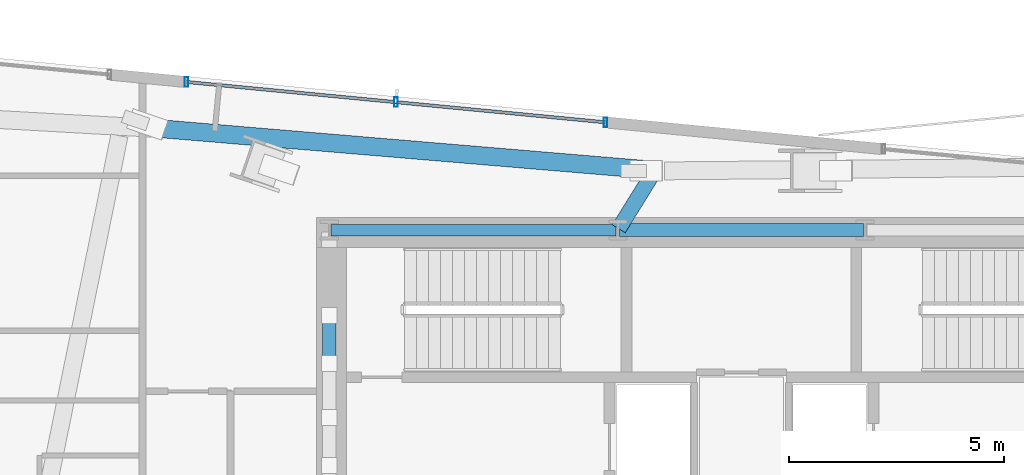
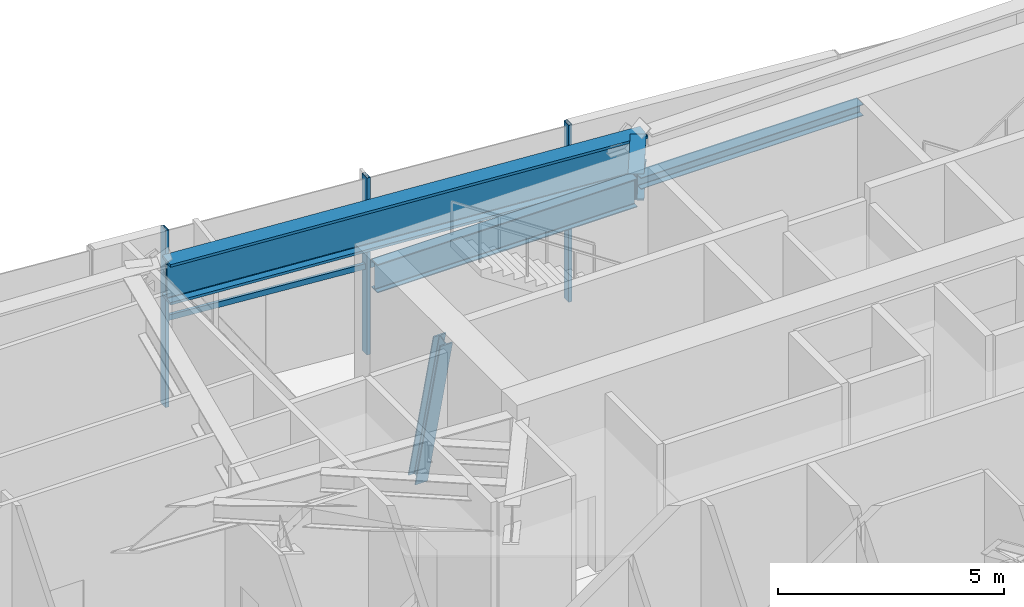
# One storey, part 8 of 23: 6 members, 4 beams, 1 element without a shape of its own.
"""IFC4 building model written with IfcOpenShell, lengths in metres."""

from ifc_helpers import new_model, si_unit, direction, frame, origin, origin_2d, place, context, subcontext, project, spatial, hollow_rectangle, i_section, extrude, source, transform, mapped, material, material_profile, profile_set, type_object, type_shapes, element, aggregate, save


model = new_model("IFC4")

# Units and contexts
model_context = context("Model", 3, precision=1e-05, world=origin(), true_north=direction((0.0, 1.0)))
body_context = subcontext(model_context, "Body", "Model", "MODEL_VIEW")
ifc_project = project(units=[si_unit("LENGTHUNIT", "METRE"), si_unit("AREAUNIT", "SQUARE_METRE"), si_unit("VOLUMEUNIT", "CUBIC_METRE"), si_unit("PLANEANGLEUNIT", "RADIAN"), si_unit("MASSUNIT", "GRAM", prefix="KILO")], contexts=[model_context])

# Site, building, storey
site_placement = place(None, origin())
site = spatial("IfcSite", under=ifc_project, at=site_placement, CompositionType="ELEMENT")
building_placement = place(site_placement, origin())
building = spatial("IfcBuilding", under=site, at=building_placement, Name="Astriad Promenade Condominiums", CompositionType="ELEMENT")
storey_placement = place(building_placement, frame((0.0, 0.0, 119.39990234375)))
storey = spatial("IfcBuildingStorey", under=building, at=storey_placement, Name="L34", CompositionType="ELEMENT", Elevation=119.39990234375)

# Beams
ifc_material_1 = material(Name="Steel ASTM A992 Grade 50", Category="steel")
ifc_material_profile_1 = material_profile(ifc_material_1, i_section(OverallWidth=0.267822265625, OverallDepth=0.76953125, WebThickness=0.015625, FlangeThickness=0.025390625, FilletRadius=0.021484375, at=origin_2d()), Name="W30X132")
ifc_profile_set_1 = profile_set([ifc_material_profile_1], Name="Steel ASTM A992 Grade 50")
beam_type_1 = type_object("IfcBeamType", Name="STEEL FLOOR GIRDER W30X132", PredefinedType="BEAM", material=ifc_profile_set_1)
shared_shape_1 = source(origin(), body_context, "Body", "SweptSolid", [
    extrude(i_section(OverallWidth=0.267822265625, OverallDepth=0.76953125, WebThickness=0.015625, FlangeThickness=0.025390625, FilletRadius=0.021484375, at=origin_2d()), origin(), (0.0, 0.0, 1.0), 6.64013671875),
])
type_shapes(beam_type_1, [shared_shape_1])
beam_1_placement = place(storey_placement, frame((26.43994140625, 24.0, 4.395263671875), z_axis=(1.0, 0.0, 0.0), x_axis=(0.0, 1.0, 0.0)))
element("IfcBeam", 1, at=beam_1_placement, inside=storey, type_object=beam_type_1, Name="Core Ring Beam CG-N1-L34", PredefinedType="BEAM", context=body_context, shape_type="MappedRepresentation", body=[
    mapped(shared_shape_1, transform((0.0, 0.0, 0.0), scale=1.0)),
])
ifc_material_profile_2 = material_profile(ifc_material_1, i_section(OverallWidth=0.3046875, OverallDepth=0.307861328125, WebThickness=0.010009765625, FlangeThickness=0.015380859375, FilletRadius=0.01513671875, at=origin_2d()), Name="W12X65")
ifc_profile_set_2 = profile_set([ifc_material_profile_2], Name="Steel ASTM A992 Grade 50")
beam_type_2 = type_object("IfcBeamType", Name="STEEL OPENING LINTEL W12X65", PredefinedType="LINTEL", material=ifc_profile_set_2)
shared_shape_2 = source(origin(), body_context, "Body", "SweptSolid", [
    extrude(i_section(OverallWidth=0.3046875, OverallDepth=0.307861328125, WebThickness=0.010009765625, FlangeThickness=0.015380859375, FilletRadius=0.01513671875, at=origin_2d()), origin(), (0.0, 0.0, 1.0), 5.68017578125),
])
type_shapes(beam_type_2, [shared_shape_2])
beam_2_placement = place(storey_placement, frame((33.159912109375, 24.0, 4.626220703125), z_axis=(1.0, 0.0, 0.0), x_axis=(0.0, 1.0, 0.0)))
element("IfcBeam", 2, at=beam_2_placement, inside=storey, type_object=beam_type_2, Name="Core Ring Beam CG-N2-L34", PredefinedType="LINTEL", context=body_context, shape_type="MappedRepresentation", body=[
    mapped(shared_shape_2, transform((0.0, 0.0, 0.0), scale=1.0)),
])
ifc_material_profile_3 = material_profile(ifc_material_1, i_section(OverallWidth=0.4169921875, OverallDepth=1.093505859375, WebThickness=0.0390625, FlangeThickness=0.070068359375, FilletRadius=0.025390625, at=origin_2d()), Name="W40X503")
ifc_profile_set_3 = profile_set([ifc_material_profile_3], Name="Steel ASTM A992 Grade 50")
beam_type_3 = type_object("IfcBeamType", Name="STEEL TRANSFER GIRDER W40X503", PredefinedType="BEAM", material=ifc_profile_set_3)
shared_shape_3 = source(origin(), body_context, "Body", "SweptSolid", [
    extrude(i_section(OverallWidth=0.4169921875, OverallDepth=1.093505859375, WebThickness=0.0390625, FlangeThickness=0.070068359375, FilletRadius=0.025390625, at=origin_2d()), origin(), (0.0, 0.0, 1.0), 11.6787109375),
])
type_shapes(beam_type_3, [shared_shape_3])
beam_3_placement = place(storey_placement, frame((34.127197265625, 25.383544921875, 4.2333984375), z_axis=(-0.996487268202, 0.083744398683, 0.0), x_axis=(-0.083744398683, -0.996487268202, 0.0)))
element("IfcBeam", 3, at=beam_3_placement, inside=storey, type_object=beam_type_3, Name="Perimeter Spandrel Beam SP-N2-L34", PredefinedType="BEAM", context=body_context, shape_type="MappedRepresentation", body=[
    mapped(shared_shape_3, transform((0.0, 0.0, 0.0), scale=1.0)),
])
ifc_material_profile_4 = material_profile(ifc_material_1, i_section(OverallWidth=0.35791015625, OverallDepth=0.706298828125, WebThickness=0.018310546875, FlangeThickness=0.0302734375, FilletRadius=0.020263671875, at=origin_2d()), Name="W27X178")
ifc_profile_set_4 = profile_set([ifc_material_profile_4], Name="Steel ASTM A992 Grade 50")
beam_type_4 = type_object("IfcBeamType", Name="STEEL FLOOR GIRDER W27X178", PredefinedType="BEAM", material=ifc_profile_set_4)
shared_shape_4 = source(origin(), body_context, "Body", "SweptSolid", [
    extrude(i_section(OverallWidth=0.35791015625, OverallDepth=0.706298828125, WebThickness=0.018310546875, FlangeThickness=0.0302734375, FilletRadius=0.020263671875, at=origin_2d()), origin(), (0.0, 0.0, 1.0), 1.5439453125),
])
type_shapes(beam_type_4, [shared_shape_4])
beam_4_placement = place(storey_placement, frame((33.95458984375, 25.34619140625, 4.427001953125), z_axis=(-0.526882557004, -0.849938098408, 0.0), x_axis=(0.849938098408, -0.526882557004, 0.0)))
element("IfcBeam", 4, at=beam_4_placement, inside=storey, type_object=beam_type_4, Name="Primary Floor Girder PG-NC-L34", PredefinedType="BEAM", context=body_context, shape_type="MappedRepresentation", body=[
    mapped(shared_shape_4, transform((0.0, 0.0, 0.0), scale=1.0)),
])

# Member
ifc_material_profile_5 = material_profile(ifc_material_1, i_section(OverallWidth=0.31494140625, OverallDepth=0.340576171875, WebThickness=0.02001953125, FlangeThickness=0.03173828125, FilletRadius=0.01513671875, at=origin_2d()), Name="W12X136")
ifc_profile_set_5 = profile_set([ifc_material_profile_5], Name="Steel ASTM A992 Grade 50")
member_type_1 = type_object("IfcMemberType", Name="STEEL TRANSFER WEB BRACE W12X136", PredefinedType="BRACE", material=ifc_profile_set_5)
shared_shape_5 = source(origin(), body_context, "Body", "SweptSolid", [
    extrude(i_section(OverallWidth=0.31494140625, OverallDepth=0.340576171875, WebThickness=0.02001953125, FlangeThickness=0.03173828125, FilletRadius=0.01513671875, at=origin_2d()), origin(), (0.0, 0.0, 1.0), 4.549072265625),
])
type_shapes(member_type_1, [shared_shape_5])
member_1_placement = place(storey_placement, frame((26.39990234375, 22.013916015625, 0.164306640625), z_axis=(0.0, -0.243974924355, 0.969781540496), x_axis=(1.0, 0.0, 0.0)))
element("IfcMember", 5, at=member_1_placement, inside=storey, type_object=member_type_1, Name="Core Coupling Warren Brace L34-02B", PredefinedType="BRACE", context=body_context, shape_type="MappedRepresentation", body=[
    mapped(shared_shape_5, transform((0.0, 0.0, 0.0), scale=1.0)),
])

# Curtain wall, members
ifc_material_2 = material(Name="Anodised aluminium Black Dark Glass Unitised", Category="aluminium")
curtain_wall_type = type_object("IfcCurtainWallType", Name="CW-B34-DARK", PredefinedType="USERDEFINED", material=ifc_material_2)
curtain_wall_placement = place(storey_placement, origin())
curtain_wall = element("IfcCurtainWall", 6, at=curtain_wall_placement, inside=storey, type_object=curtain_wall_type, Name="CW-L34-N-2", ObjectType="UNITISED_CURTAIN_WALL", PredefinedType="USERDEFINED")
ifc_material_3 = material(Name="Anodised aluminium 6063-T6 Black", Category="aluminium")
ifc_material_profile_6 = material_profile(ifc_material_3, hollow_rectangle(XDim=0.074951171875, YDim=0.14990234375, WallThickness=0.004150390625, at=origin_2d()), Name="ALU-TRN-75X150")
ifc_profile_set_6 = profile_set([ifc_material_profile_6], Name="Anodised aluminium 6063-T6 Black")
member_type_2 = type_object("IfcMemberType", Name="TRN-ALU-TRN-75X150", PredefinedType="USERDEFINED", material=ifc_profile_set_6)
shared_shape_6 = source(origin(), body_context, "Body", "SweptSolid", [
    extrude(hollow_rectangle(XDim=0.074951171875, YDim=0.14990234375, WallThickness=0.004150390625, at=origin_2d()), origin(), (0.0, 0.0, 1.0), 4.89990234375),
])
type_shapes(member_type_2, [shared_shape_6])
member_2_placement = place(storey_placement, frame((23.076171875, 27.450927734375, 2.35009765625), z_axis=(0.995394594425, -0.095862408633, 0.0), x_axis=(0.095862408633, 0.995394594425, 0.0)))
member_2 = element("IfcMember", 7, at=member_2_placement, type_object=member_type_2, Name="CW-L34-N-2-TRN-00-0", ObjectType="TRANSOM", PredefinedType="USERDEFINED", context=body_context, shape_type="MappedRepresentation", body=[
    mapped(shared_shape_6, transform((0.0, 0.0, 0.0), scale=1.0)),
])
member_3_placement = place(storey_placement, frame((27.95361328125, 26.981201171875, 2.35009765625), z_axis=(0.995399347527, -0.095813041611, 0.0), x_axis=(0.095813041611, 0.995399347527, 0.0)))
member_3 = element("IfcMember", 8, at=member_3_placement, type_object=member_type_2, Name="CW-L34-N-2-TRN-01-0", ObjectType="TRANSOM", PredefinedType="USERDEFINED", context=body_context, shape_type="MappedRepresentation", body=[
    mapped(shared_shape_6, transform((0.0, 0.0, 0.0), scale=1.0)),
])
ifc_material_profile_7 = material_profile(ifc_material_3, hollow_rectangle(XDim=0.0849609375, YDim=0.219970703125, WallThickness=0.0048828125, at=origin_2d()), Name="ALU-MUL-85X220")
ifc_profile_set_7 = profile_set([ifc_material_profile_7], Name="Anodised aluminium 6063-T6 Black")
member_type_3 = type_object("IfcMemberType", Name="MUL-ALU-MUL-85X220", PredefinedType="MULLION", material=ifc_profile_set_7)
shared_shape_7 = source(origin(), body_context, "Body", "SweptSolid", [
    extrude(hollow_rectangle(XDim=0.0849609375, YDim=0.219970703125, WallThickness=0.0048828125, at=origin_2d()), origin(), (0.0, 0.0, 1.0), 4.780029296875),
])
type_shapes(member_type_3, [shared_shape_7])
member_4_placement = place(storey_placement, frame((23.076171875, 27.450927734375, 0.0), z_axis=(0.0, 0.0, 1.0), x_axis=(1.0, 0.0, 0.0)))
member_4 = element("IfcMember", 9, at=member_4_placement, type_object=member_type_3, Name="CW-L34-N-2-MUL-00", PredefinedType="MULLION", context=body_context, shape_type="MappedRepresentation", body=[
    mapped(shared_shape_7, transform((0.0, 0.0, 0.0), scale=1.0)),
])
member_5_placement = place(storey_placement, frame((27.95361328125, 26.981201171875, 0.0), z_axis=(0.0, 0.0, 1.0), x_axis=(1.0, 0.0, 0.0)))
member_5 = element("IfcMember", 10, at=member_5_placement, type_object=member_type_3, Name="CW-L34-N-2-MUL-01", PredefinedType="MULLION", context=body_context, shape_type="MappedRepresentation", body=[
    mapped(shared_shape_7, transform((0.0, 0.0, 0.0), scale=1.0)),
])
member_6_placement = place(storey_placement, frame((32.8310546875, 26.51171875, 0.0), z_axis=(0.0, 0.0, 1.0), x_axis=(1.0, 0.0, 0.0)))
member_6 = element("IfcMember", 11, at=member_6_placement, type_object=member_type_3, Name="CW-L34-N-2-MUL-02", PredefinedType="MULLION", context=body_context, shape_type="MappedRepresentation", body=[
    mapped(shared_shape_7, transform((0.0, 0.0, 0.0), scale=1.0)),
])
aggregate(curtain_wall, [member_4, member_5, member_6, member_2, member_3])

save(model, "model.ifc")
